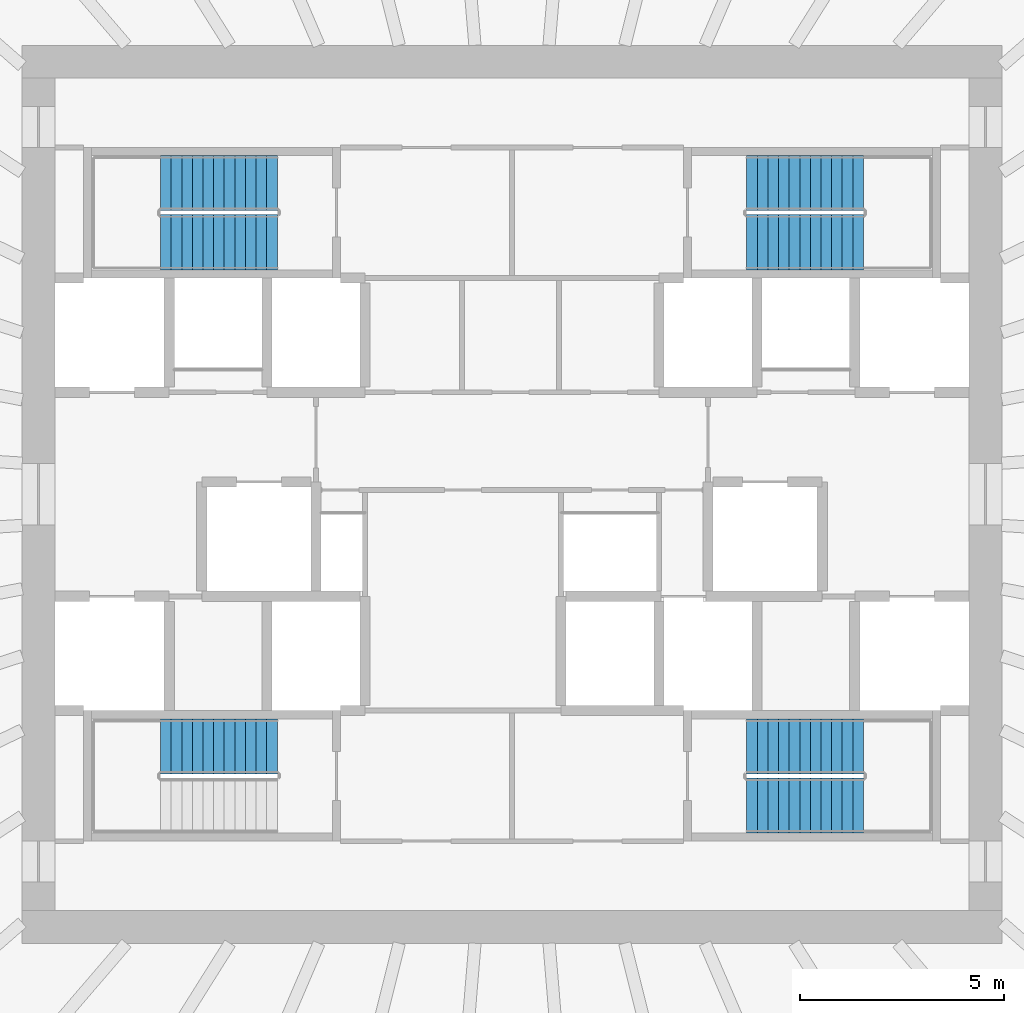
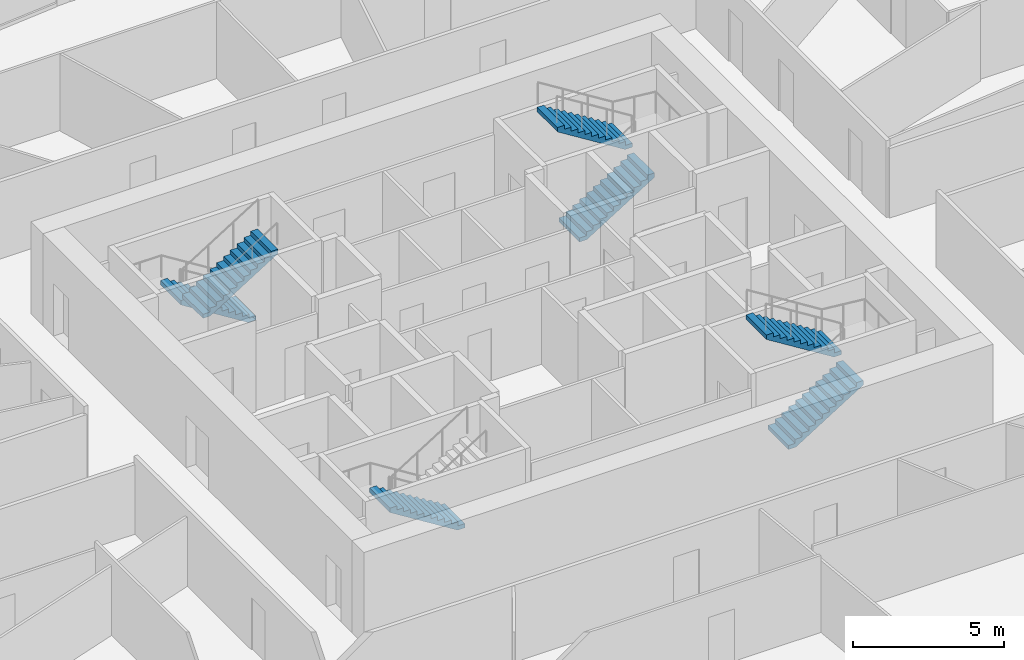
# One storey, part 10 of 11: 7 stair flights, 4 elements without a shape of their own.
"""IFC4 building model written with IfcOpenShell, lengths in metres."""

from ifc_helpers import new_model, si_unit, direction, frame, origin, place, context, subcontext, project, spatial, polyline, outline, extrude, source, transform, mapped, material, type_object, element, aggregate, save


model = new_model("IFC4")

# Units and contexts
model_context = context("Model", 3, precision=1e-05, world=origin(), true_north=direction((0.0, 1.0)))
body_context = subcontext(model_context, "Body", "Model", "MODEL_VIEW")
ifc_project = project(units=[si_unit("LENGTHUNIT", "METRE"), si_unit("AREAUNIT", "SQUARE_METRE"), si_unit("VOLUMEUNIT", "CUBIC_METRE"), si_unit("PLANEANGLEUNIT", "RADIAN"), si_unit("MASSUNIT", "GRAM", prefix="KILO")], contexts=[model_context])

# Site, building, storey
site_placement = place(None, origin())
site = spatial("IfcSite", under=ifc_project, at=site_placement, CompositionType="ELEMENT")
building_placement = place(site_placement, origin())
building = spatial("IfcBuilding", under=site, at=building_placement, Name="Embergate Tower", CompositionType="ELEMENT")
storey_placement = place(building_placement, frame((0.0, 0.0, 219.0)))
storey = spatial("IfcBuildingStorey", under=building, at=storey_placement, Name="L50", CompositionType="ELEMENT", Elevation=219.0)

# Stair, stair flights
ifc_material_1 = material(Name="Exit stair")
stair_type = type_object("IfcStairType", Name="Exit stair", PredefinedType="HALF_TURN_STAIR", material=ifc_material_1)
stair_1_placement = place(storey_placement, origin())
stair_1 = element("IfcStair", 1, at=stair_1_placement, inside=storey, type_object=stair_type, Name="L50 Exit stair 1", PredefinedType="HALF_TURN_STAIR")
ifc_material_2 = material(Name="Concrete C40", Category="concrete")
stair_flight_type = type_object("IfcStairFlightType", Name="Stair flight reinforced concrete", PredefinedType="STRAIGHT", material=ifc_material_2)
shared_shape = source(origin(), body_context, "Body", "SweptSolid", [
    extrude(outline(polyline([(0.0, 0.0), (0.0, 0.16259765625), (0.260009765625, 0.16259765625), (0.260009765625, 0.324951171875), (0.52001953125, 0.324951171875), (0.52001953125, 0.487548828125), (0.780029296875, 0.487548828125), (0.780029296875, 0.64990234375), (1.0400390625, 0.64990234375), (1.0400390625, 0.8125), (1.300048828125, 0.8125), (1.300048828125, 0.97509765625), (1.56005859375, 0.97509765625), (1.56005859375, 1.137451171875), (1.820068359375, 1.137451171875), (1.820068359375, 1.300048828125), (2.080078125, 1.300048828125), (2.080078125, 1.46240234375), (2.340087890625, 1.46240234375), (2.340087890625, 1.625), (2.60009765625, 1.625), (2.60009765625, 1.78759765625), (2.860107421875, 1.78759765625), (2.860107421875, 1.949951171875), (2.860107421875, 1.61083984375), (0.28271484375, 0.0), (0.0, 0.0)])), frame((0.0, 0.675048828125, 0.0), z_axis=(0.0, -1.0, 0.0), x_axis=(1.0, 0.0, 0.0)), (0.0, 0.0, 1.0), 1.35009765625),
])
stair_flight_1_placement = place(storey_placement, frame((-5.75, 7.625, 0.0), z_axis=(0.0, 0.0, 1.0), x_axis=(-1.0, 0.0, 0.0)))
stair_flight_1 = element("IfcStairFlight", 2, at=stair_flight_1_placement, type_object=stair_flight_type, Name="ST1 flight 1", NumberOfRisers=12, NumberOfTreads=11, PredefinedType="STRAIGHT", RiserHeight=0.1625, TreadLength=0.26, context=body_context, shape_type="MappedRepresentation", body=[
    mapped(shared_shape, transform((0.0, 0.0, 0.0))),
])
stair_flight_2_placement = place(storey_placement, frame((-8.610107421875, 6.175048828125, 1.949951171875), z_axis=(0.0, 0.0, 1.0), x_axis=(1.0, 0.0, 0.0)))
stair_flight_2 = element("IfcStairFlight", 3, at=stair_flight_2_placement, type_object=stair_flight_type, Name="ST1 flight 2", NumberOfRisers=12, NumberOfTreads=11, PredefinedType="STRAIGHT", RiserHeight=0.1625, TreadLength=0.26, context=body_context, shape_type="MappedRepresentation", body=[
    mapped(shared_shape, transform((0.0, 0.0, 0.0))),
])
aggregate(stair_1, [stair_flight_1, stair_flight_2])

stair_2_placement = place(storey_placement, origin())
stair_2 = element("IfcStair", 4, at=stair_2_placement, inside=storey, type_object=stair_type, Name="L50 Exit stair 2", PredefinedType="HALF_TURN_STAIR")
stair_flight_3_placement = place(storey_placement, frame((5.75, 6.175048828125, 0.0), z_axis=(0.0, 0.0, 1.0), x_axis=(1.0, 0.0, 0.0)))
stair_flight_3 = element("IfcStairFlight", 5, at=stair_flight_3_placement, type_object=stair_flight_type, Name="ST2 flight 1", NumberOfRisers=12, NumberOfTreads=11, PredefinedType="STRAIGHT", RiserHeight=0.1625, TreadLength=0.26, context=body_context, shape_type="MappedRepresentation", body=[
    mapped(shared_shape, transform((0.0, 0.0, 0.0))),
])
stair_flight_4_placement = place(storey_placement, frame((8.610107421875, 7.625, 1.949951171875), z_axis=(0.0, 0.0, 1.0), x_axis=(-1.0, 0.0, 0.0)))
stair_flight_4 = element("IfcStairFlight", 6, at=stair_flight_4_placement, type_object=stair_flight_type, Name="ST2 flight 2", NumberOfRisers=12, NumberOfTreads=11, PredefinedType="STRAIGHT", RiserHeight=0.1625, TreadLength=0.26, context=body_context, shape_type="MappedRepresentation", body=[
    mapped(shared_shape, transform((0.0, 0.0, 0.0))),
])
aggregate(stair_2, [stair_flight_3, stair_flight_4])

# Stair, stair flight
stair_3_placement = place(storey_placement, origin())
stair_3 = element("IfcStair", 7, at=stair_3_placement, inside=storey, type_object=stair_type, Name="L50 Exit stair 3", PredefinedType="HALF_TURN_STAIR")
stair_flight_5_placement = place(storey_placement, frame((-5.75, -6.175048828125, 0.0), z_axis=(0.0, 0.0, 1.0), x_axis=(-1.0, 0.0, 0.0)))
stair_flight_5 = element("IfcStairFlight", 8, at=stair_flight_5_placement, type_object=stair_flight_type, Name="ST3 flight 1", NumberOfRisers=12, NumberOfTreads=11, PredefinedType="STRAIGHT", RiserHeight=0.1625, TreadLength=0.26, context=body_context, shape_type="MappedRepresentation", body=[
    mapped(shared_shape, transform((0.0, 0.0, 0.0))),
])
aggregate(stair_3, [stair_flight_5])

# Stair, stair flights
stair_4_placement = place(storey_placement, origin())
stair_4 = element("IfcStair", 9, at=stair_4_placement, inside=storey, type_object=stair_type, Name="L50 Exit stair 4", PredefinedType="HALF_TURN_STAIR")
stair_flight_6_placement = place(storey_placement, frame((5.75, -7.625, 0.0), z_axis=(0.0, 0.0, 1.0), x_axis=(1.0, 0.0, 0.0)))
stair_flight_6 = element("IfcStairFlight", 10, at=stair_flight_6_placement, type_object=stair_flight_type, Name="ST4 flight 1", NumberOfRisers=12, NumberOfTreads=11, PredefinedType="STRAIGHT", RiserHeight=0.1625, TreadLength=0.26, context=body_context, shape_type="MappedRepresentation", body=[
    mapped(shared_shape, transform((0.0, 0.0, 0.0))),
])
stair_flight_7_placement = place(storey_placement, frame((8.610107421875, -6.175048828125, 1.949951171875), z_axis=(0.0, 0.0, 1.0), x_axis=(-1.0, 0.0, 0.0)))
stair_flight_7 = element("IfcStairFlight", 11, at=stair_flight_7_placement, type_object=stair_flight_type, Name="ST4 flight 2", NumberOfRisers=12, NumberOfTreads=11, PredefinedType="STRAIGHT", RiserHeight=0.1625, TreadLength=0.26, context=body_context, shape_type="MappedRepresentation", body=[
    mapped(shared_shape, transform((0.0, 0.0, 0.0))),
])
aggregate(stair_4, [stair_flight_6, stair_flight_7])

save(model, "model.ifc")
